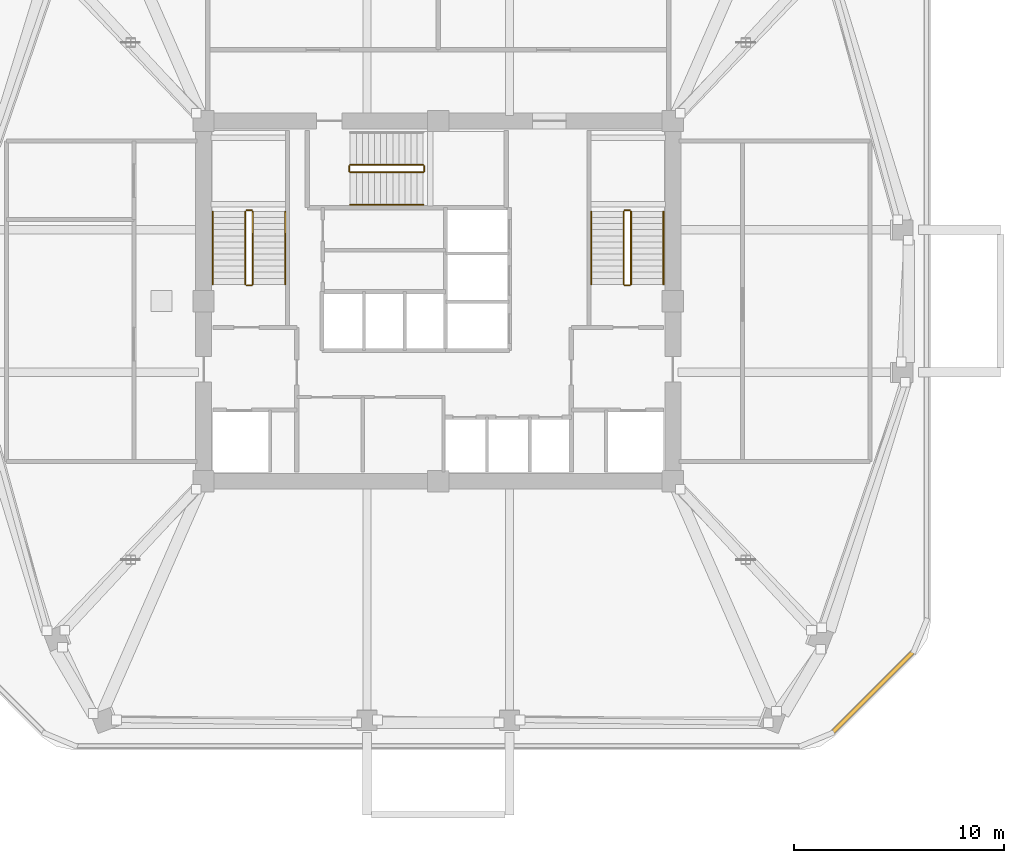
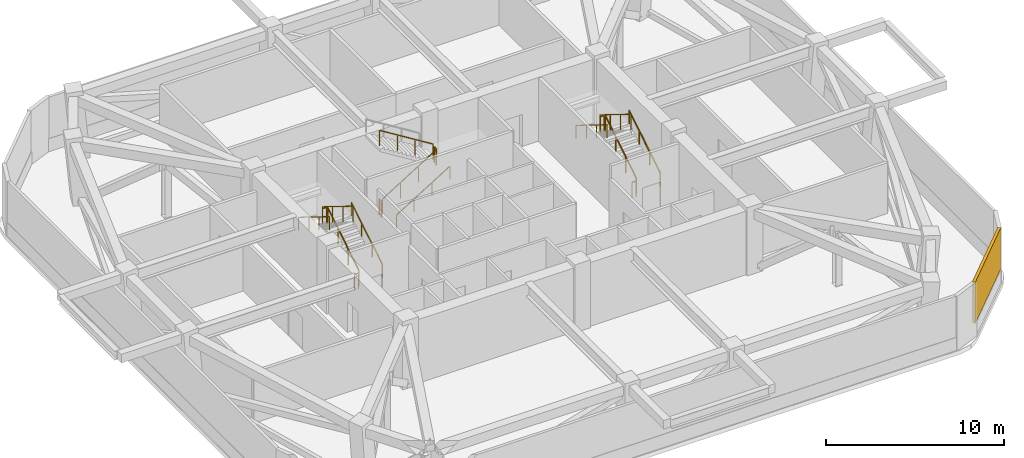
# One storey, part 7 of 8: 17 railings, 1 shading device.
"""IFC4 building model written with IfcOpenShell, lengths in metres."""

from ifc_helpers import new_model, si_unit, derived_unit, direction, frame, origin, origin_2d, place, context, subcontext, project, spatial, rectangle, extrude, material, layer, layer_set, type_object, element, save


model = new_model("IFC4")

# Units and contexts
model_context = context("Model", 3, precision=1e-05, world=origin(), true_north=direction((0.0, 1.0)))
body_context = subcontext(model_context, "Body", "Model", "MODEL_VIEW")
ifc_project = project(units=[si_unit("LENGTHUNIT", "METRE"), si_unit("AREAUNIT", "SQUARE_METRE"), si_unit("VOLUMEUNIT", "CUBIC_METRE"), si_unit("PLANEANGLEUNIT", "RADIAN"), si_unit("MASSUNIT", "GRAM", prefix="KILO"), derived_unit("THERMALTRANSMITTANCEUNIT", [(si_unit("POWERUNIT", "WATT"), 1), (si_unit("LENGTHUNIT", "METRE"), -2), (si_unit("THERMODYNAMICTEMPERATUREUNIT", "KELVIN"), -1)])], contexts=[model_context])

# Site, building, storey
site_placement = place(None, origin())
site = spatial("IfcSite", under=ifc_project, at=site_placement, CompositionType="ELEMENT")
building_placement = place(site_placement, origin())
building = spatial("IfcBuilding", under=site, at=building_placement, Name="Koralith Skygarden Medical Center", CompositionType="ELEMENT")
storey_placement = place(building_placement, frame((0.0, 0.0, 178.02001953125)))
storey = spatial("IfcBuildingStorey", under=building, at=storey_placement, Name="L46", CompositionType="ELEMENT", Elevation=178.02001953125)

# Shading device
ifc_material_1 = material(Name="Aluminium 6063-T6", Category="aluminium")
ifc_layer = layer(ifc_material_1, 0.179931640625)
ifc_layer_set = layer_set([ifc_layer], Name="Aluminium 6063-T6")
shading_device_type = type_object("IfcShadingDeviceType", Name="Mechanical Plant Acoustic Hurricane Louvre", PredefinedType="JALOUSIE", material=ifc_layer_set)
shading_device_placement = place(storey_placement, frame((57.741943359375, 7.241943359375, 0.89990234375), z_axis=(0.0, 0.0, 1.0), x_axis=(0.707106781187, 0.707106781187, 0.0)))
element("IfcShadingDevice", 1, at=shading_device_placement, inside=storey, type_object=shading_device_type, Name="L46 Plant Acoustic Hurricane Louvre SE", PredefinedType="JALOUSIE", context=body_context, shape_type="SweptSolid", body=[
    extrude(rectangle(XDim=5.548095703125, YDim=0.179931640625, at=origin_2d()), origin(), (0.0, 0.0, 1.0), 2.830078125),
])

# Railings
ifc_material_2 = material(Name="Steel ASTM A500 Grade C", Category="steel")
railing_type_1 = type_object("IfcRailingType", Name="Stair Flight Tubular Handrail 920", PredefinedType="HANDRAIL", material=ifc_material_2)
railing_1_placement = place(storey_placement, frame((29.699951171875, 26.699951171875, 0.179931640625)))
element("IfcRailing", 2, at=railing_1_placement, inside=storey, type_object=railing_type_1, Name="L46 ST1 stair handrail 1", PredefinedType="HANDRAIL", context=body_context, shape_type="SweptSolid", body=[
    extrude(rectangle(XDim=0.050048828125, YDim=0.050048828125, at=origin_2d()), frame((0.0, 0.001708984375, 0.89599609375), z_axis=(0.0, 0.849621746706, 0.527392536471), x_axis=(-1.0, 0.0, 0.0)), (0.0, 0.0, 1.0), 4.091796875),
    extrude(rectangle(XDim=0.0419921875, YDim=0.0419921875, at=origin_2d()), origin(), (0.0, 0.0, 1.0), 0.867919921875),
    extrude(rectangle(XDim=0.0419921875, YDim=0.0419921875, at=origin_2d()), frame((0.0, 1.159912109375, 0.719970703125)), (0.0, 0.0, 1.0), 0.867919921875),
    extrude(rectangle(XDim=0.0419921875, YDim=0.0419921875, at=origin_2d()), frame((0.0, 2.320068359375, 1.440185546875)), (0.0, 0.0, 1.0), 0.867919921875),
    extrude(rectangle(XDim=0.0419921875, YDim=0.0419921875, at=origin_2d()), frame((0.0, 3.47998046875, 2.16015625)), (0.0, 0.0, 1.0), 0.867919921875),
])
railing_2_placement = place(storey_placement, frame((26.25, 30.179931640625, 2.52001953125)))
element("IfcRailing", 3, at=railing_2_placement, inside=storey, type_object=railing_type_1, Name="L46 ST1 stair handrail 2", PredefinedType="HANDRAIL", context=body_context, shape_type="SweptSolid", body=[
    extrude(rectangle(XDim=0.050048828125, YDim=0.050048828125, at=origin_2d()), frame((0.0, -0.001708984375, 0.89599609375), z_axis=(0.0, -0.849648454892, 0.527349507537), x_axis=(1.0, 0.0, 0.0)), (0.0, 0.0, 1.0), 4.091796875),
    extrude(rectangle(XDim=0.0419921875, YDim=0.0419921875, at=origin_2d()), origin(), (0.0, 0.0, 1.0), 0.867919921875),
    extrude(rectangle(XDim=0.0419921875, YDim=0.0419921875, at=origin_2d()), frame((0.0, -1.159912109375, 0.719970703125)), (0.0, 0.0, 1.0), 0.867919921875),
    extrude(rectangle(XDim=0.0419921875, YDim=0.0419921875, at=origin_2d()), frame((0.0, -2.320068359375, 1.43994140625)), (0.0, 0.0, 1.0), 0.867919921875),
    extrude(rectangle(XDim=0.0419921875, YDim=0.0419921875, at=origin_2d()), frame((0.0, -3.47998046875, 2.159912109375)), (0.0, 0.0, 1.0), 0.867919921875),
])
railing_3_placement = place(storey_placement, frame((47.75, 26.699951171875, 0.179931640625)))
element("IfcRailing", 4, at=railing_3_placement, inside=storey, type_object=railing_type_1, Name="L46 ST2 stair handrail 1", PredefinedType="HANDRAIL", context=body_context, shape_type="SweptSolid", body=[
    extrude(rectangle(XDim=0.050048828125, YDim=0.050048828125, at=origin_2d()), frame((0.0, 0.001708984375, 0.89599609375), z_axis=(0.0, 0.849621746706, 0.527392536471), x_axis=(-1.0, 0.0, 0.0)), (0.0, 0.0, 1.0), 4.091796875),
    extrude(rectangle(XDim=0.0419921875, YDim=0.0419921875, at=origin_2d()), origin(), (0.0, 0.0, 1.0), 0.867919921875),
    extrude(rectangle(XDim=0.0419921875, YDim=0.0419921875, at=origin_2d()), frame((0.0, 1.159912109375, 0.719970703125)), (0.0, 0.0, 1.0), 0.867919921875),
    extrude(rectangle(XDim=0.0419921875, YDim=0.0419921875, at=origin_2d()), frame((0.0, 2.320068359375, 1.440185546875)), (0.0, 0.0, 1.0), 0.867919921875),
    extrude(rectangle(XDim=0.0419921875, YDim=0.0419921875, at=origin_2d()), frame((0.0, 3.47998046875, 2.16015625)), (0.0, 0.0, 1.0), 0.867919921875),
])
railing_4_placement = place(storey_placement, frame((44.300048828125, 30.179931640625, 2.52001953125)))
element("IfcRailing", 5, at=railing_4_placement, inside=storey, type_object=railing_type_1, Name="L46 ST2 stair handrail 2", PredefinedType="HANDRAIL", context=body_context, shape_type="SweptSolid", body=[
    extrude(rectangle(XDim=0.050048828125, YDim=0.050048828125, at=origin_2d()), frame((0.0, -0.001708984375, 0.89599609375), z_axis=(0.0, -0.849648454892, 0.527349507537), x_axis=(1.0, 0.0, 0.0)), (0.0, 0.0, 1.0), 4.091796875),
    extrude(rectangle(XDim=0.0419921875, YDim=0.0419921875, at=origin_2d()), origin(), (0.0, 0.0, 1.0), 0.867919921875),
    extrude(rectangle(XDim=0.0419921875, YDim=0.0419921875, at=origin_2d()), frame((0.0, -1.159912109375, 0.719970703125)), (0.0, 0.0, 1.0), 0.867919921875),
    extrude(rectangle(XDim=0.0419921875, YDim=0.0419921875, at=origin_2d()), frame((0.0, -2.320068359375, 1.43994140625)), (0.0, 0.0, 1.0), 0.867919921875),
    extrude(rectangle(XDim=0.0419921875, YDim=0.0419921875, at=origin_2d()), frame((0.0, -3.47998046875, 2.159912109375)), (0.0, 0.0, 1.0), 0.867919921875),
])
railing_5_placement = place(storey_placement, frame((32.800048828125, 30.5, 0.179931640625)))
element("IfcRailing", 6, at=railing_5_placement, inside=storey, type_object=railing_type_1, Name="L46 ST3 stair handrail 1", PredefinedType="HANDRAIL", context=body_context, shape_type="SweptSolid", body=[
    extrude(rectangle(XDim=0.050048828125, YDim=0.050048828125, at=origin_2d()), frame((0.001708984375, 0.0, 0.89599609375), z_axis=(0.849621746706, 0.0, 0.527392536471), x_axis=(0.0, 1.0, 0.0)), (0.0, 0.0, 1.0), 4.091796875),
    extrude(rectangle(XDim=0.0419921875, YDim=0.0419921875, at=origin_2d()), origin(), (0.0, 0.0, 1.0), 0.867919921875),
    extrude(rectangle(XDim=0.0419921875, YDim=0.0419921875, at=origin_2d()), frame((1.159912109375, 0.0, 0.719970703125)), (0.0, 0.0, 1.0), 0.867919921875),
    extrude(rectangle(XDim=0.0419921875, YDim=0.0419921875, at=origin_2d()), frame((2.320068359375, 0.0, 1.440185546875)), (0.0, 0.0, 1.0), 0.867919921875),
    extrude(rectangle(XDim=0.0419921875, YDim=0.0419921875, at=origin_2d()), frame((3.47998046875, 0.0, 2.16015625)), (0.0, 0.0, 1.0), 0.867919921875),
])
railing_type_2 = type_object("IfcRailingType", Name="Stair Well Safety Guardrail 1100", PredefinedType="GUARDRAIL", material=ifc_material_2)
railing_6_placement = place(storey_placement, frame((28.14990234375, 26.699951171875, 0.179931640625)))
element("IfcRailing", 7, at=railing_6_placement, inside=storey, type_object=railing_type_2, Name="L46 ST1 stair guard 1", PredefinedType="GUARDRAIL", context=body_context, shape_type="SweptSolid", body=[
    extrude(rectangle(XDim=0.050048828125, YDim=0.050048828125, at=origin_2d()), frame((0.0, 0.001708984375, 1.076171875), z_axis=(0.0, 0.849621746706, 0.527392536471), x_axis=(-1.0, 0.0, 0.0)), (0.0, 0.0, 1.0), 4.091796875),
    extrude(rectangle(XDim=0.0419921875, YDim=0.0419921875, at=origin_2d()), origin(), (0.0, 0.0, 1.0), 1.048095703125),
    extrude(rectangle(XDim=0.0419921875, YDim=0.0419921875, at=origin_2d()), frame((0.0, 1.159912109375, 0.719970703125)), (0.0, 0.0, 1.0), 1.048095703125),
    extrude(rectangle(XDim=0.0419921875, YDim=0.0419921875, at=origin_2d()), frame((0.0, 2.320068359375, 1.440185546875)), (0.0, 0.0, 1.0), 1.048095703125),
    extrude(rectangle(XDim=0.0419921875, YDim=0.0419921875, at=origin_2d()), frame((0.0, 3.47998046875, 2.16015625)), (0.0, 0.0, 1.0), 1.048095703125),
])
railing_7_placement = place(storey_placement, frame((28.10009765625, 30.22998046875, 2.340087890625)))
element("IfcRailing", 8, at=railing_7_placement, inside=storey, type_object=railing_type_2, Name="L46 ST1 stair guard 2", PredefinedType="GUARDRAIL", context=body_context, shape_type="SweptSolid", body=[
    extrude(rectangle(XDim=0.050048828125, YDim=0.050048828125, at=origin_2d()), frame((-0.001953125, 0.0, 1.0751953125), z_axis=(-1.0, 0.0, 0.0), x_axis=(0.0, -1.0, 0.0)), (0.0, 0.0, 1.0), 0.24609375),
    extrude(rectangle(XDim=0.0419921875, YDim=0.0419921875, at=origin_2d()), origin(), (0.0, 0.0, 1.0), 1.048095703125),
    extrude(rectangle(XDim=0.0419921875, YDim=0.0419921875, at=origin_2d()), frame((-0.25, 0.0, 0.0)), (0.0, 0.0, 1.0), 1.048095703125),
])
railing_8_placement = place(storey_placement, frame((27.800048828125, 30.179931640625, 2.52001953125)))
element("IfcRailing", 9, at=railing_8_placement, inside=storey, type_object=railing_type_2, Name="L46 ST1 stair guard 3", PredefinedType="GUARDRAIL", context=body_context, shape_type="SweptSolid", body=[
    extrude(rectangle(XDim=0.050048828125, YDim=0.050048828125, at=origin_2d()), frame((0.0, -0.001708984375, 1.076171875), z_axis=(0.0, -0.849648454892, 0.527349507537), x_axis=(1.0, 0.0, 0.0)), (0.0, 0.0, 1.0), 4.091796875),
    extrude(rectangle(XDim=0.0419921875, YDim=0.0419921875, at=origin_2d()), origin(), (0.0, 0.0, 1.0), 1.048095703125),
    extrude(rectangle(XDim=0.0419921875, YDim=0.0419921875, at=origin_2d()), frame((0.0, -1.159912109375, 0.719970703125)), (0.0, 0.0, 1.0), 1.048095703125),
    extrude(rectangle(XDim=0.0419921875, YDim=0.0419921875, at=origin_2d()), frame((0.0, -2.320068359375, 1.43994140625)), (0.0, 0.0, 1.0), 1.048095703125),
    extrude(rectangle(XDim=0.0419921875, YDim=0.0419921875, at=origin_2d()), frame((0.0, -3.47998046875, 2.159912109375)), (0.0, 0.0, 1.0), 1.048095703125),
])
railing_9_placement = place(storey_placement, frame((28.10009765625, 26.64990234375, 0.0)))
element("IfcRailing", 10, at=railing_9_placement, inside=storey, type_object=railing_type_2, Name="L46 ST1 stair guard 4", PredefinedType="GUARDRAIL", context=body_context, shape_type="SweptSolid", body=[
    extrude(rectangle(XDim=0.050048828125, YDim=0.050048828125, at=origin_2d()), frame((-0.001953125, 0.0, 1.0751953125), z_axis=(-1.0, 0.0, 0.0), x_axis=(0.0, -1.0, 0.0)), (0.0, 0.0, 1.0), 0.24609375),
    extrude(rectangle(XDim=0.0419921875, YDim=0.0419921875, at=origin_2d()), origin(), (0.0, 0.0, 1.0), 1.048095703125),
    extrude(rectangle(XDim=0.0419921875, YDim=0.0419921875, at=origin_2d()), frame((-0.25, 0.0, 0.0)), (0.0, 0.0, 1.0), 1.048095703125),
])
railing_10_placement = place(storey_placement, frame((46.199951171875, 26.699951171875, 0.179931640625)))
element("IfcRailing", 11, at=railing_10_placement, inside=storey, type_object=railing_type_2, Name="L46 ST2 stair guard 1", PredefinedType="GUARDRAIL", context=body_context, shape_type="SweptSolid", body=[
    extrude(rectangle(XDim=0.050048828125, YDim=0.050048828125, at=origin_2d()), frame((0.0, 0.001708984375, 1.076171875), z_axis=(0.0, 0.849621746706, 0.527392536471), x_axis=(-1.0, 0.0, 0.0)), (0.0, 0.0, 1.0), 4.091796875),
    extrude(rectangle(XDim=0.0419921875, YDim=0.0419921875, at=origin_2d()), origin(), (0.0, 0.0, 1.0), 1.048095703125),
    extrude(rectangle(XDim=0.0419921875, YDim=0.0419921875, at=origin_2d()), frame((0.0, 1.159912109375, 0.719970703125)), (0.0, 0.0, 1.0), 1.048095703125),
    extrude(rectangle(XDim=0.0419921875, YDim=0.0419921875, at=origin_2d()), frame((0.0, 2.320068359375, 1.440185546875)), (0.0, 0.0, 1.0), 1.048095703125),
    extrude(rectangle(XDim=0.0419921875, YDim=0.0419921875, at=origin_2d()), frame((0.0, 3.47998046875, 2.16015625)), (0.0, 0.0, 1.0), 1.048095703125),
])
railing_11_placement = place(storey_placement, frame((46.14990234375, 30.22998046875, 2.340087890625)))
element("IfcRailing", 12, at=railing_11_placement, inside=storey, type_object=railing_type_2, Name="L46 ST2 stair guard 2", PredefinedType="GUARDRAIL", context=body_context, shape_type="SweptSolid", body=[
    extrude(rectangle(XDim=0.050048828125, YDim=0.050048828125, at=origin_2d()), frame((-0.001953125, 0.0, 1.0751953125), z_axis=(-1.0, 0.0, 0.0), x_axis=(0.0, -1.0, 0.0)), (0.0, 0.0, 1.0), 0.24609375),
    extrude(rectangle(XDim=0.0419921875, YDim=0.0419921875, at=origin_2d()), origin(), (0.0, 0.0, 1.0), 1.048095703125),
    extrude(rectangle(XDim=0.0419921875, YDim=0.0419921875, at=origin_2d()), frame((-0.25, 0.0, 0.0)), (0.0, 0.0, 1.0), 1.048095703125),
])
railing_12_placement = place(storey_placement, frame((45.85009765625, 30.179931640625, 2.52001953125)))
element("IfcRailing", 13, at=railing_12_placement, inside=storey, type_object=railing_type_2, Name="L46 ST2 stair guard 3", PredefinedType="GUARDRAIL", context=body_context, shape_type="SweptSolid", body=[
    extrude(rectangle(XDim=0.050048828125, YDim=0.050048828125, at=origin_2d()), frame((0.0, -0.001708984375, 1.076171875), z_axis=(0.0, -0.849648454892, 0.527349507537), x_axis=(1.0, 0.0, 0.0)), (0.0, 0.0, 1.0), 4.091796875),
    extrude(rectangle(XDim=0.0419921875, YDim=0.0419921875, at=origin_2d()), origin(), (0.0, 0.0, 1.0), 1.048095703125),
    extrude(rectangle(XDim=0.0419921875, YDim=0.0419921875, at=origin_2d()), frame((0.0, -1.159912109375, 0.719970703125)), (0.0, 0.0, 1.0), 1.048095703125),
    extrude(rectangle(XDim=0.0419921875, YDim=0.0419921875, at=origin_2d()), frame((0.0, -2.320068359375, 1.43994140625)), (0.0, 0.0, 1.0), 1.048095703125),
    extrude(rectangle(XDim=0.0419921875, YDim=0.0419921875, at=origin_2d()), frame((0.0, -3.47998046875, 2.159912109375)), (0.0, 0.0, 1.0), 1.048095703125),
])
railing_13_placement = place(storey_placement, frame((46.14990234375, 26.64990234375, 0.0)))
element("IfcRailing", 14, at=railing_13_placement, inside=storey, type_object=railing_type_2, Name="L46 ST2 stair guard 4", PredefinedType="GUARDRAIL", context=body_context, shape_type="SweptSolid", body=[
    extrude(rectangle(XDim=0.050048828125, YDim=0.050048828125, at=origin_2d()), frame((-0.001953125, 0.0, 1.0751953125), z_axis=(-1.0, 0.0, 0.0), x_axis=(0.0, -1.0, 0.0)), (0.0, 0.0, 1.0), 0.24609375),
    extrude(rectangle(XDim=0.0419921875, YDim=0.0419921875, at=origin_2d()), origin(), (0.0, 0.0, 1.0), 1.048095703125),
    extrude(rectangle(XDim=0.0419921875, YDim=0.0419921875, at=origin_2d()), frame((-0.25, 0.0, 0.0)), (0.0, 0.0, 1.0), 1.048095703125),
])
railing_14_placement = place(storey_placement, frame((32.800048828125, 32.050048828125, 0.179931640625)))
element("IfcRailing", 15, at=railing_14_placement, inside=storey, type_object=railing_type_2, Name="L46 ST3 stair guard 1", PredefinedType="GUARDRAIL", context=body_context, shape_type="SweptSolid", body=[
    extrude(rectangle(XDim=0.050048828125, YDim=0.050048828125, at=origin_2d()), frame((0.001708984375, 0.0, 1.076171875), z_axis=(0.849621746706, 0.0, 0.527392536471), x_axis=(0.0, 1.0, 0.0)), (0.0, 0.0, 1.0), 4.091796875),
    extrude(rectangle(XDim=0.0419921875, YDim=0.0419921875, at=origin_2d()), origin(), (0.0, 0.0, 1.0), 1.048095703125),
    extrude(rectangle(XDim=0.0419921875, YDim=0.0419921875, at=origin_2d()), frame((1.159912109375, 0.0, 0.719970703125)), (0.0, 0.0, 1.0), 1.048095703125),
    extrude(rectangle(XDim=0.0419921875, YDim=0.0419921875, at=origin_2d()), frame((2.320068359375, 0.0, 1.440185546875)), (0.0, 0.0, 1.0), 1.048095703125),
    extrude(rectangle(XDim=0.0419921875, YDim=0.0419921875, at=origin_2d()), frame((3.47998046875, 0.0, 2.16015625)), (0.0, 0.0, 1.0), 1.048095703125),
])
railing_15_placement = place(storey_placement, frame((36.330078125, 32.10009765625, 2.340087890625)))
element("IfcRailing", 16, at=railing_15_placement, inside=storey, type_object=railing_type_2, Name="L46 ST3 stair guard 2", PredefinedType="GUARDRAIL", context=body_context, shape_type="SweptSolid", body=[
    extrude(rectangle(XDim=0.050048828125, YDim=0.050048828125, at=origin_2d()), frame((0.0, 0.001953125, 1.0751953125), z_axis=(0.0, 1.0, 0.0), x_axis=(-1.0, 0.0, 0.0)), (0.0, 0.0, 1.0), 0.24609375),
    extrude(rectangle(XDim=0.0419921875, YDim=0.0419921875, at=origin_2d()), origin(), (0.0, 0.0, 1.0), 1.048095703125),
    extrude(rectangle(XDim=0.0419921875, YDim=0.0419921875, at=origin_2d()), frame((0.0, 0.25, 0.0)), (0.0, 0.0, 1.0), 1.048095703125),
])
railing_16_placement = place(storey_placement, frame((36.280029296875, 32.39990234375, 2.52001953125)))
element("IfcRailing", 17, at=railing_16_placement, inside=storey, type_object=railing_type_2, Name="L46 ST3 stair guard 3", PredefinedType="GUARDRAIL", context=body_context, shape_type="SweptSolid", body=[
    extrude(rectangle(XDim=0.050048828125, YDim=0.050048828125, at=origin_2d()), frame((-0.001708984375, 0.0, 1.076171875), z_axis=(-0.849648454892, 0.0, 0.527349507537), x_axis=(0.0, -1.0, 0.0)), (0.0, 0.0, 1.0), 4.091796875),
    extrude(rectangle(XDim=0.0419921875, YDim=0.0419921875, at=origin_2d()), origin(), (0.0, 0.0, 1.0), 1.048095703125),
    extrude(rectangle(XDim=0.0419921875, YDim=0.0419921875, at=origin_2d()), frame((-1.159912109375, 0.0, 0.719970703125)), (0.0, 0.0, 1.0), 1.048095703125),
    extrude(rectangle(XDim=0.0419921875, YDim=0.0419921875, at=origin_2d()), frame((-2.320068359375, 0.0, 1.43994140625)), (0.0, 0.0, 1.0), 1.048095703125),
    extrude(rectangle(XDim=0.0419921875, YDim=0.0419921875, at=origin_2d()), frame((-3.47998046875, 0.0, 2.159912109375)), (0.0, 0.0, 1.0), 1.048095703125),
])
railing_17_placement = place(storey_placement, frame((32.75, 32.10009765625, 0.0)))
element("IfcRailing", 18, at=railing_17_placement, inside=storey, type_object=railing_type_2, Name="L46 ST3 stair guard 4", PredefinedType="GUARDRAIL", context=body_context, shape_type="SweptSolid", body=[
    extrude(rectangle(XDim=0.050048828125, YDim=0.050048828125, at=origin_2d()), frame((0.0, 0.001953125, 1.0751953125), z_axis=(0.0, 1.0, 0.0), x_axis=(-1.0, 0.0, 0.0)), (0.0, 0.0, 1.0), 0.24609375),
    extrude(rectangle(XDim=0.0419921875, YDim=0.0419921875, at=origin_2d()), origin(), (0.0, 0.0, 1.0), 1.048095703125),
    extrude(rectangle(XDim=0.0419921875, YDim=0.0419921875, at=origin_2d()), frame((0.0, 0.25, 0.0)), (0.0, 0.0, 1.0), 1.048095703125),
])

save(model, "model.ifc")
